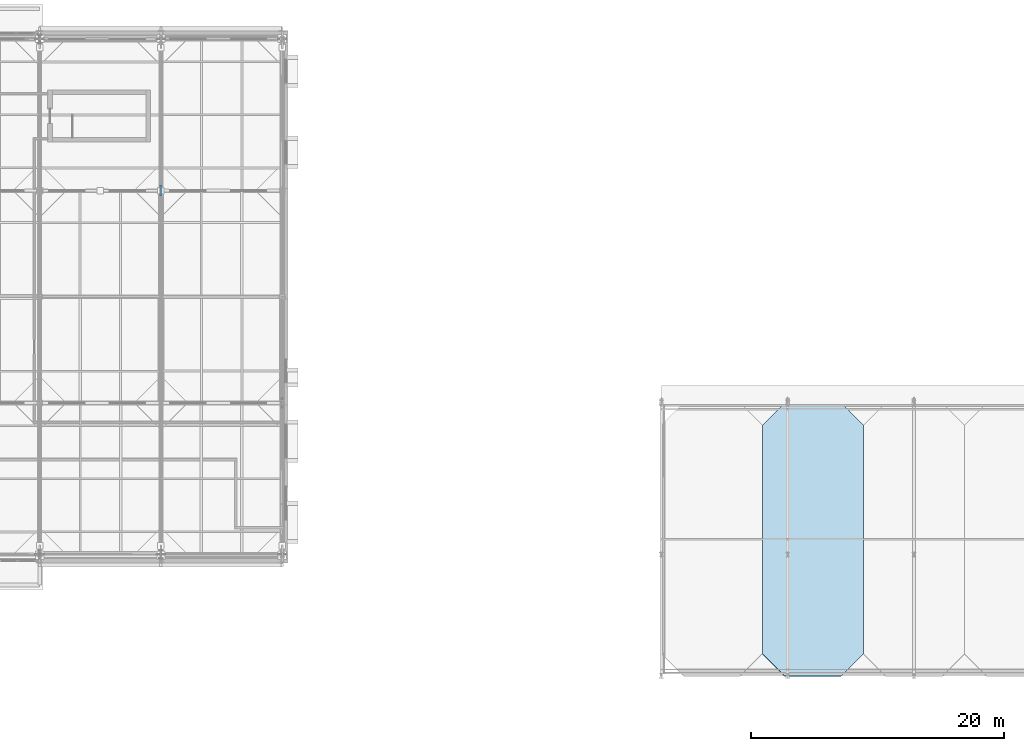
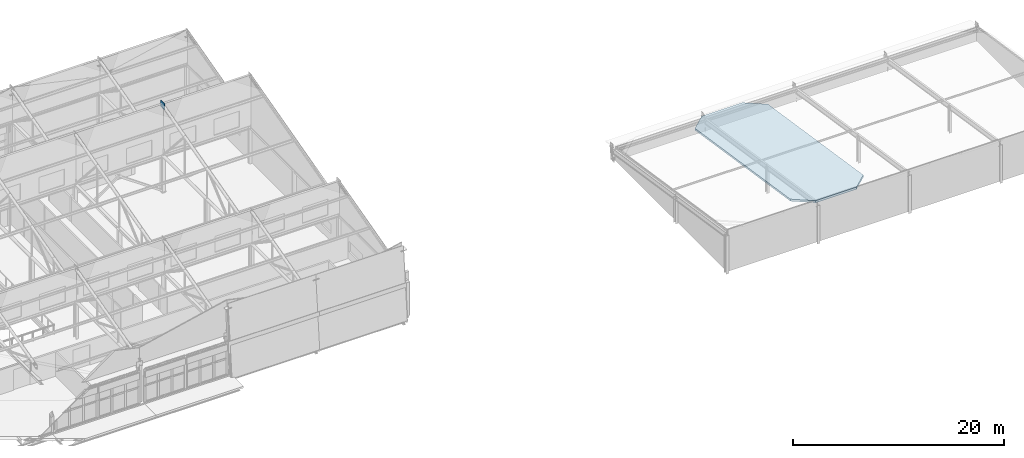
# One storey, part 64 of 89: 1 plate, 1 slab, 1 element without a shape of its own.
"""IFC4 building model written with IfcOpenShell, lengths in metres."""

import ifcopenshell
import ifcopenshell.guid

model = None  # the IFC model being written
_history = None  # IfcOwnerHistory: only IFC2X3 demands one
_inside = {}  # id of a spatial element -> (the spatial element, [elements in it])
_under = {}  # id of a project, library or spatial element -> (it, [spatial elements below it])
_declared = {}  # id of a project -> (the project, [libraries it declares])
_typed = {}  # id of a type object -> (the type object, [elements of that type])
_made_of = {}  # id of a material, layer set ... -> (it, [elements and type objects made of it])


def new_model(schema):
    """Start an empty IFC model of exactly this schema.

    Asked for "IFC4X3", IfcOpenShell would pick the latest addendum, in which some entities
    have other attributes; the version numbers below select the first issue.
    IFC2X3 requires an IfcOwnerHistory on every rooted entity: one is made here for all.
    """
    global model, _history
    if schema == "IFC4X3":
        model = ifcopenshell.file(schema_version=(4, 3, 0, 0))
    else:
        model = ifcopenshell.file(schema=schema)
    _inside.clear()
    _under.clear()
    _declared.clear()
    _typed.clear()
    _made_of.clear()
    _history = None
    if model.schema == "IFC2X3":
        org = make("IfcOrganization", Name="unknown")
        user = make(
            "IfcPersonAndOrganization",
            ThePerson=make("IfcPerson", FamilyName="unknown"),
            TheOrganization=org,
        )
        app = make(
            "IfcApplication",
            ApplicationDeveloper=org,
            Version="unknown",
            ApplicationFullName="unknown",
            ApplicationIdentifier="unknown",
        )
        _history = make(
            "IfcOwnerHistory",
            OwningUser=user,
            OwningApplication=app,
            ChangeAction="ADDED",
            CreationDate=0,
        )
    return model


def make(cls, **values):
    """One entity of the class cls with the attributes given. An attribute that is None is left unset."""
    return model.create_entity(
        cls, **{name: value for name, value in values.items() if value is not None}
    )


def rooted(cls, **values):
    """An entity with a GlobalId (a new one), such as an element, a storey or a relation."""
    return make(cls, GlobalId=ifcopenshell.guid.new(), OwnerHistory=_history, **values)


def si_unit(unit_type, name, prefix=None):
    """IfcSIUnit, for example si_unit("LENGTHUNIT", "METRE", prefix="MILLI")."""
    return make("IfcSIUnit", UnitType=unit_type, Prefix=prefix, Name=name)


def assignment(units):
    """IfcUnitAssignment: the units of a project."""
    return None if units is None else make("IfcUnitAssignment", Units=units)


def point(xyz):
    """IfcCartesianPoint."""
    return None if xyz is None else make("IfcCartesianPoint", Coordinates=xyz)


def direction(xyz):
    """IfcDirection."""
    return None if xyz is None else make("IfcDirection", DirectionRatios=xyz)


def frame(location, z_axis=None, x_axis=None):
    """IfcAxis2Placement3D, a coordinate frame: its origin and axes. An axis left out is left unset."""
    return make(
        "IfcAxis2Placement3D",
        Location=point(location),
        Axis=direction(z_axis),
        RefDirection=direction(x_axis),
    )


def frame_2d(location, x_axis=None):
    """IfcAxis2Placement2D, a coordinate frame in the plane: its origin and x axis."""
    return make(
        "IfcAxis2Placement2D", Location=point(location), RefDirection=direction(x_axis)
    )


def origin():
    """The frame at (0, 0, 0) with its axes left unset."""
    return frame((0.0, 0.0, 0.0))


def origin_2d():
    """The frame at (0, 0) in the plane with its x axis left unset."""
    return frame_2d((0.0, 0.0))


def place(relative_to, where):
    """IfcLocalPlacement: puts the frame where relative to a parent placement (None: the world)."""
    return make(
        "IfcLocalPlacement", PlacementRelTo=relative_to, RelativePlacement=where
    )


def context(
    kind, dimensions, precision=None, world=None, true_north=None, identifier=None
):
    """IfcGeometricRepresentationContext, for example the 3D "Model" context."""
    return make(
        "IfcGeometricRepresentationContext",
        ContextIdentifier=identifier,
        ContextType=kind,
        CoordinateSpaceDimension=dimensions,
        Precision=precision,
        WorldCoordinateSystem=world,
        TrueNorth=true_north,
    )


def subcontext(parent, identifier, kind, view, scale=None):
    """IfcGeometricRepresentationSubContext, for example "Body" below "Model"."""
    return make(
        "IfcGeometricRepresentationSubContext",
        ContextIdentifier=identifier,
        ContextType=kind,
        ParentContext=parent,
        TargetScale=scale,
        TargetView=view,
    )


def project(units=None, contexts=None):
    """IfcProject with its units and contexts."""
    return rooted(
        "IfcProject",
        Name="project",
        RepresentationContexts=contexts,
        UnitsInContext=assignment(units),
    )


def spatial(cls, under=None, at=None, **own):
    """A site, building, storey or space (cls), placed at a placement, below another one or the project."""
    s = rooted(cls, ObjectPlacement=at, **own)
    if under is not None:
        _under.setdefault(under.id(), (under, []))[1].append(s)
    return s


def polyline(points):
    """IfcPolyline through the points."""
    return make("IfcPolyline", Points=[point(p) for p in points])


def profile(cls, at=None, kind="AREA", **sizes):
    """A parametric profile (cls). Its sizes go by their IFC names, for example OverallWidth=200.0."""
    return make(cls, ProfileType=kind, Position=at, **sizes)


def rectangle(**sizes):
    """IfcRectangleProfileDef."""
    return profile("IfcRectangleProfileDef", **sizes)


def outline(outer, holes=None, kind="AREA"):
    """IfcArbitraryClosedProfileDef: a profile drawn as a closed curve; with holes, ...WithVoids."""
    if holes is None:
        return make("IfcArbitraryClosedProfileDef", ProfileType=kind, OuterCurve=outer)
    return make(
        "IfcArbitraryProfileDefWithVoids",
        ProfileType=kind,
        OuterCurve=outer,
        InnerCurves=holes,
    )


def extrude(swept, where, along, depth):
    """IfcExtrudedAreaSolid: the profile swept, set in the frame where, extruded along a direction by depth."""
    return make(
        "IfcExtrudedAreaSolid",
        SweptArea=swept,
        Position=where,
        ExtrudedDirection=direction(along),
        Depth=depth,
    )


def shape(context_of_items, identifier, shape_type, items):
    """IfcShapeRepresentation: the items that make up one representation, for example the "Body"."""
    return make(
        "IfcShapeRepresentation",
        ContextOfItems=context_of_items,
        RepresentationIdentifier=identifier,
        RepresentationType=shape_type,
        Items=items,
    )


def material(Name=None, Category=None):
    """IfcMaterial."""
    return make("IfcMaterial", Name=Name, Category=Category)


def layer(
    of_material, thickness, ventilated=None, Name=None, Category=None, Priority=None
):
    """IfcMaterialLayer: one layer of a wall or slab, of a material (None: an air gap)."""
    return make(
        "IfcMaterialLayer",
        Material=of_material,
        LayerThickness=thickness,
        IsVentilated=ventilated,
        Name=Name,
        Category=Category,
        Priority=Priority,
    )


def layer_set(layers, Name=None):
    """IfcMaterialLayerSet."""
    return make("IfcMaterialLayerSet", MaterialLayers=layers, LayerSetName=Name)


def made_of(thing, what):
    """Note that an element or type object is made of a material, layer set ...; save() writes the relation."""
    if what is not None:
        _made_of.setdefault(what.id(), (what, []))[1].append(thing)
    return thing


def type_object(cls, material=None, **own):
    """A type object (cls), such as IfcWallType, which elements share."""
    return made_of(rooted(cls, **own), material)


def element(
    cls,
    number,
    at=None,
    inside=None,
    cuts=None,
    type_object=None,
    material=None,
    context=None,
    identifier="Body",
    shape_type=None,
    held_by="IfcProductDefinitionShape",
    body=None,
    shapes=None,
    **own,
):
    """One element of the class cls, such as IfcWall. Its Tag is "e" and its number.

    at: its placement. inside: the storey or other place that contains it. cuts: it is an
    opening in that element (IfcRelVoidsElement). A single representation is given by context,
    identifier, shape_type and body (its items); several are given by shapes. held_by: the class
    of the entity that holds the representations. save() writes the other relations.
    """
    e = rooted(cls, Tag="e%d" % number, ObjectPlacement=at, **own)
    if body is not None:
        shapes = [shape(context, identifier, shape_type, body)]
    if shapes is not None:
        e.Representation = make(held_by, Representations=shapes)
    if inside is not None:
        _inside.setdefault(inside.id(), (inside, []))[1].append(e)
    if cuts is not None:
        rooted(
            "IfcRelVoidsElement", RelatingBuildingElement=cuts, RelatedOpeningElement=e
        )
    if type_object is not None:
        _typed.setdefault(type_object.id(), (type_object, []))[1].append(e)
    return made_of(e, material)


def aggregate(whole, parts):
    """IfcRelAggregates: a whole, such as a stair, and the parts it consists of."""
    return rooted("IfcRelAggregates", RelatingObject=whole, RelatedObjects=parts)


def save(model, path):
    """Write the relations noted so far, then the file.

    IfcRelAggregates (storeys below a building ...), IfcRelContainedInSpatialStructure (elements
    in a storey), IfcRelDefinesByType, IfcRelAssociatesMaterial and IfcRelDeclares: one each for
    every whole, place, type object, material and project.
    """
    for whole, parts in _under.values():
        aggregate(whole, parts)
    for where, things in _inside.values():
        rooted(
            "IfcRelContainedInSpatialStructure",
            RelatedElements=things,
            RelatingStructure=where,
        )
    for kind, things in _typed.values():
        rooted("IfcRelDefinesByType", RelatedObjects=things, RelatingType=kind)
    for what, things in _made_of.values():
        rooted("IfcRelAssociatesMaterial", RelatedObjects=things, RelatingMaterial=what)
    for by, libraries in _declared.values():
        rooted("IfcRelDeclares", RelatingContext=by, RelatedDefinitions=libraries)
    model.write(path)


model = new_model("IFC4")

# Units and contexts
model_context = context("Model", 3, precision=1e-05, world=origin(), true_north=direction((0.0, 1.0)))
body_context = subcontext(model_context, "Body", "Model", "MODEL_VIEW")
ifc_project = project(units=[si_unit("LENGTHUNIT", "METRE"), si_unit("AREAUNIT", "SQUARE_METRE"), si_unit("VOLUMEUNIT", "CUBIC_METRE"), si_unit("PLANEANGLEUNIT", "RADIAN"), si_unit("MASSUNIT", "GRAM", prefix="KILO")], contexts=[model_context])

# Site, building, storey
site_placement = place(None, origin())
site = spatial("IfcSite", under=ifc_project, at=site_placement, CompositionType="ELEMENT")
building_placement = place(site_placement, origin())
building = spatial("IfcBuilding", under=site, at=building_placement, Name="Zereglee Splitstone Museum", CompositionType="ELEMENT")
storey_placement = place(building_placement, frame((0.0, 0.0, 21.300048828125)))
storey = spatial("IfcBuildingStorey", under=building, at=storey_placement, Name="L04", CompositionType="ELEMENT", Elevation=21.300048828125)

# Plate
ifc_material_1 = material(Name="Steel S355J2", Category="steel")
ifc_layer_1 = layer(ifc_material_1, 0.06005859375)
ifc_layer_set_1 = layer_set([ifc_layer_1], Name="Steel S355J2")
plate_type = type_object("IfcPlateType", Name="NP-01", PredefinedType="SHEET", material=ifc_layer_set_1)
plate_placement = place(storey_placement, frame((135.60009765625, 38.39990234375, 9.68994140625), z_axis=(0.0, 0.0, 1.0), x_axis=(1.0, 0.0, 0.0)))
element("IfcPlate", 1, at=plate_placement, inside=storey, type_object=plate_type, Name="Sawtooth Truss Node Plate TN-07-2.4", PredefinedType="SHEET", context=body_context, shape_type="SweptSolid", body=[
    extrude(rectangle(XDim=0.06005859375, YDim=0.719970703125, at=origin_2d()), origin(), (0.0, 0.0, 1.0), 0.719970703125),
])

# Roof, slab
ifc_material_2 = material(Name="Standing-seam zinc roofing on Concrete C35/45", Category="concrete")
ifc_layer_2 = layer(ifc_material_2, 0.219970703125)
ifc_layer_set_2 = layer_set([ifc_layer_2], Name="Concrete C35/45")
roof_type = type_object("IfcRoofType", Name="RF-A1", PredefinedType="SHED_ROOF", material=ifc_layer_set_2)
roof_placement = place(storey_placement, origin())
roof = element("IfcRoof", 2, at=roof_placement, inside=storey, type_object=roof_type, Name="Sloping Split-Rock Roof Assembly RF-V3", PredefinedType="SHED_ROOF")
ifc_material_3 = material(Name="Concrete C35/45", Category="concrete")
ifc_layer_3 = layer(ifc_material_3, 0.219970703125)
ifc_layer_set_3 = layer_set([ifc_layer_3], Name="Concrete C35/45")
slab_type = type_object("IfcSlabType", Name="RS-02", PredefinedType="ROOF", material=ifc_layer_set_3)
slab_placement = place(storey_placement, frame((184.9599609375, 0.0, 4.949951171875), z_axis=(0.0, 0.151026348718, 0.988529737536), x_axis=(1.0, 0.0, 0.0)))
slab = element("IfcSlab", 3, at=slab_placement, type_object=slab_type, Name="Split-Rock Roof Slab RF-V3 Panel 2", PredefinedType="ROOF", context=body_context, shape_type="SweptSolid", body=[
    extrude(outline(polyline([(0.0, 0.0), (4.47998046875, 0.0), (6.239990234375, 1.7804176972253993), (6.239990234375, 20.07027862309413), (4.47998046875, 21.850733191986695), (0.0, 21.850733191986695), (-1.760009765625, 20.07027862309413), (-1.760009765625, 1.7804176972253993), (0.0, 0.0)])), origin(), (0.0, 0.0, -1.0), 0.219970703125),
])
aggregate(roof, [slab])

save(model, "model.ifc")
